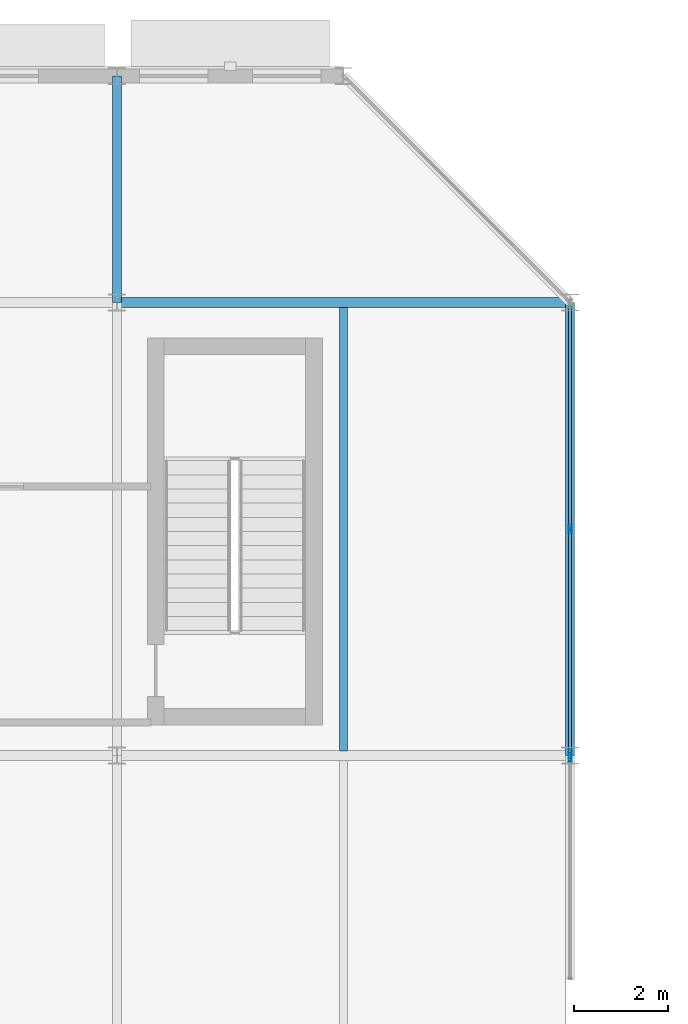
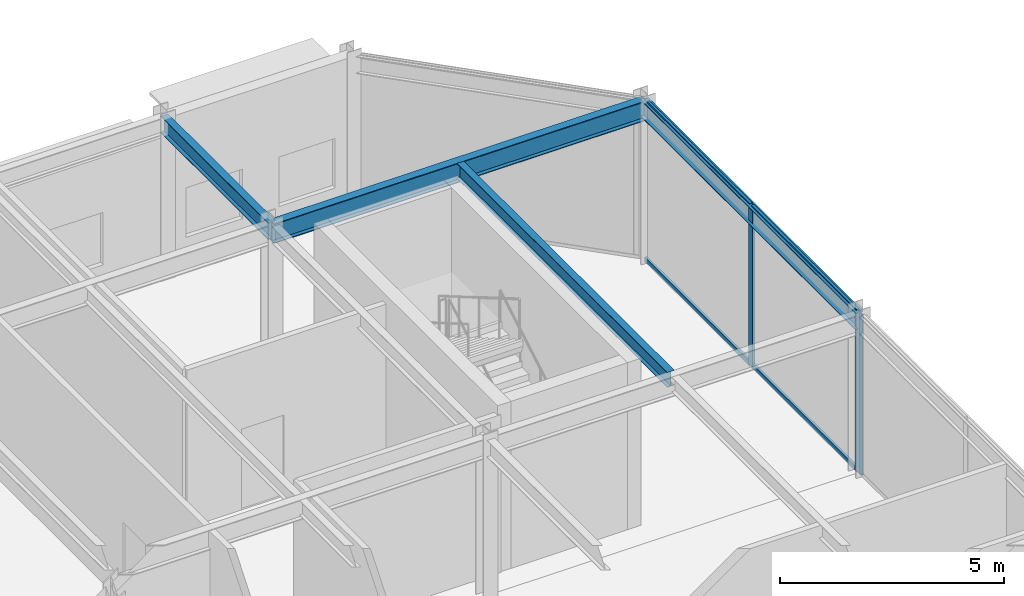
# One storey, part 45 of 116: 7 members, 4 beams, 2 elements without a shape of their own.
"""IFC4 building model written with IfcOpenShell, lengths in metres."""

import ifcopenshell
import ifcopenshell.guid

model = None  # the IFC model being written
_history = None  # IfcOwnerHistory: only IFC2X3 demands one
_inside = {}  # id of a spatial element -> (the spatial element, [elements in it])
_under = {}  # id of a project, library or spatial element -> (it, [spatial elements below it])
_declared = {}  # id of a project -> (the project, [libraries it declares])
_typed = {}  # id of a type object -> (the type object, [elements of that type])
_made_of = {}  # id of a material, layer set ... -> (it, [elements and type objects made of it])


def new_model(schema):
    """Start an empty IFC model of exactly this schema.

    Asked for "IFC4X3", IfcOpenShell would pick the latest addendum, in which some entities
    have other attributes; the version numbers below select the first issue.
    IFC2X3 requires an IfcOwnerHistory on every rooted entity: one is made here for all.
    """
    global model, _history
    if schema == "IFC4X3":
        model = ifcopenshell.file(schema_version=(4, 3, 0, 0))
    else:
        model = ifcopenshell.file(schema=schema)
    _inside.clear()
    _under.clear()
    _declared.clear()
    _typed.clear()
    _made_of.clear()
    _history = None
    if model.schema == "IFC2X3":
        org = make("IfcOrganization", Name="unknown")
        user = make(
            "IfcPersonAndOrganization",
            ThePerson=make("IfcPerson", FamilyName="unknown"),
            TheOrganization=org,
        )
        app = make(
            "IfcApplication",
            ApplicationDeveloper=org,
            Version="unknown",
            ApplicationFullName="unknown",
            ApplicationIdentifier="unknown",
        )
        _history = make(
            "IfcOwnerHistory",
            OwningUser=user,
            OwningApplication=app,
            ChangeAction="ADDED",
            CreationDate=0,
        )
    return model


def make(cls, **values):
    """One entity of the class cls with the attributes given. An attribute that is None is left unset."""
    return model.create_entity(
        cls, **{name: value for name, value in values.items() if value is not None}
    )


def rooted(cls, **values):
    """An entity with a GlobalId (a new one), such as an element, a storey or a relation."""
    return make(cls, GlobalId=ifcopenshell.guid.new(), OwnerHistory=_history, **values)


def si_unit(unit_type, name, prefix=None):
    """IfcSIUnit, for example si_unit("LENGTHUNIT", "METRE", prefix="MILLI")."""
    return make("IfcSIUnit", UnitType=unit_type, Prefix=prefix, Name=name)


def assignment(units):
    """IfcUnitAssignment: the units of a project."""
    return None if units is None else make("IfcUnitAssignment", Units=units)


def point(xyz):
    """IfcCartesianPoint."""
    return None if xyz is None else make("IfcCartesianPoint", Coordinates=xyz)


def direction(xyz):
    """IfcDirection."""
    return None if xyz is None else make("IfcDirection", DirectionRatios=xyz)


def frame(location, z_axis=None, x_axis=None):
    """IfcAxis2Placement3D, a coordinate frame: its origin and axes. An axis left out is left unset."""
    return make(
        "IfcAxis2Placement3D",
        Location=point(location),
        Axis=direction(z_axis),
        RefDirection=direction(x_axis),
    )


def frame_2d(location, x_axis=None):
    """IfcAxis2Placement2D, a coordinate frame in the plane: its origin and x axis."""
    return make(
        "IfcAxis2Placement2D", Location=point(location), RefDirection=direction(x_axis)
    )


def origin():
    """The frame at (0, 0, 0) with its axes left unset."""
    return frame((0.0, 0.0, 0.0))


def origin_2d():
    """The frame at (0, 0) in the plane with its x axis left unset."""
    return frame_2d((0.0, 0.0))


def place(relative_to, where):
    """IfcLocalPlacement: puts the frame where relative to a parent placement (None: the world)."""
    return make(
        "IfcLocalPlacement", PlacementRelTo=relative_to, RelativePlacement=where
    )


def context(
    kind, dimensions, precision=None, world=None, true_north=None, identifier=None
):
    """IfcGeometricRepresentationContext, for example the 3D "Model" context."""
    return make(
        "IfcGeometricRepresentationContext",
        ContextIdentifier=identifier,
        ContextType=kind,
        CoordinateSpaceDimension=dimensions,
        Precision=precision,
        WorldCoordinateSystem=world,
        TrueNorth=true_north,
    )


def subcontext(parent, identifier, kind, view, scale=None):
    """IfcGeometricRepresentationSubContext, for example "Body" below "Model"."""
    return make(
        "IfcGeometricRepresentationSubContext",
        ContextIdentifier=identifier,
        ContextType=kind,
        ParentContext=parent,
        TargetScale=scale,
        TargetView=view,
    )


def project(units=None, contexts=None):
    """IfcProject with its units and contexts."""
    return rooted(
        "IfcProject",
        Name="project",
        RepresentationContexts=contexts,
        UnitsInContext=assignment(units),
    )


def spatial(cls, under=None, at=None, **own):
    """A site, building, storey or space (cls), placed at a placement, below another one or the project."""
    s = rooted(cls, ObjectPlacement=at, **own)
    if under is not None:
        _under.setdefault(under.id(), (under, []))[1].append(s)
    return s


def profile(cls, at=None, kind="AREA", **sizes):
    """A parametric profile (cls). Its sizes go by their IFC names, for example OverallWidth=200.0."""
    return make(cls, ProfileType=kind, Position=at, **sizes)


def hollow_rectangle(**sizes):
    """IfcRectangleHollowProfileDef."""
    return profile("IfcRectangleHollowProfileDef", **sizes)


def i_section(**sizes):
    """IfcIShapeProfileDef."""
    return profile("IfcIShapeProfileDef", **sizes)


def extrude(swept, where, along, depth):
    """IfcExtrudedAreaSolid: the profile swept, set in the frame where, extruded along a direction by depth."""
    return make(
        "IfcExtrudedAreaSolid",
        SweptArea=swept,
        Position=where,
        ExtrudedDirection=direction(along),
        Depth=depth,
    )


def shape(context_of_items, identifier, shape_type, items):
    """IfcShapeRepresentation: the items that make up one representation, for example the "Body"."""
    return make(
        "IfcShapeRepresentation",
        ContextOfItems=context_of_items,
        RepresentationIdentifier=identifier,
        RepresentationType=shape_type,
        Items=items,
    )


def material(Name=None, Category=None):
    """IfcMaterial."""
    return make("IfcMaterial", Name=Name, Category=Category)


def material_profile(
    of_material, cross_section, Name=None, Category=None, Priority=None
):
    """IfcMaterialProfile: a cross section and its material."""
    return make(
        "IfcMaterialProfile",
        Name=Name,
        Material=of_material,
        Profile=cross_section,
        Priority=Priority,
        Category=Category,
    )


def profile_set(profiles, Name=None, composite=None):
    """IfcMaterialProfileSet."""
    return make(
        "IfcMaterialProfileSet",
        Name=Name,
        MaterialProfiles=profiles,
        CompositeProfile=composite,
    )


def made_of(thing, what):
    """Note that an element or type object is made of a material, layer set ...; save() writes the relation."""
    if what is not None:
        _made_of.setdefault(what.id(), (what, []))[1].append(thing)
    return thing


def type_object(cls, material=None, **own):
    """A type object (cls), such as IfcWallType, which elements share."""
    return made_of(rooted(cls, **own), material)


def element(
    cls,
    number,
    at=None,
    inside=None,
    cuts=None,
    type_object=None,
    material=None,
    context=None,
    identifier="Body",
    shape_type=None,
    held_by="IfcProductDefinitionShape",
    body=None,
    shapes=None,
    **own,
):
    """One element of the class cls, such as IfcWall. Its Tag is "e" and its number.

    at: its placement. inside: the storey or other place that contains it. cuts: it is an
    opening in that element (IfcRelVoidsElement). A single representation is given by context,
    identifier, shape_type and body (its items); several are given by shapes. held_by: the class
    of the entity that holds the representations. save() writes the other relations.
    """
    e = rooted(cls, Tag="e%d" % number, ObjectPlacement=at, **own)
    if body is not None:
        shapes = [shape(context, identifier, shape_type, body)]
    if shapes is not None:
        e.Representation = make(held_by, Representations=shapes)
    if inside is not None:
        _inside.setdefault(inside.id(), (inside, []))[1].append(e)
    if cuts is not None:
        rooted(
            "IfcRelVoidsElement", RelatingBuildingElement=cuts, RelatedOpeningElement=e
        )
    if type_object is not None:
        _typed.setdefault(type_object.id(), (type_object, []))[1].append(e)
    return made_of(e, material)


def aggregate(whole, parts):
    """IfcRelAggregates: a whole, such as a stair, and the parts it consists of."""
    return rooted("IfcRelAggregates", RelatingObject=whole, RelatedObjects=parts)


def save(model, path):
    """Write the relations noted so far, then the file.

    IfcRelAggregates (storeys below a building ...), IfcRelContainedInSpatialStructure (elements
    in a storey), IfcRelDefinesByType, IfcRelAssociatesMaterial and IfcRelDeclares: one each for
    every whole, place, type object, material and project.
    """
    for whole, parts in _under.values():
        aggregate(whole, parts)
    for where, things in _inside.values():
        rooted(
            "IfcRelContainedInSpatialStructure",
            RelatedElements=things,
            RelatingStructure=where,
        )
    for kind, things in _typed.values():
        rooted("IfcRelDefinesByType", RelatedObjects=things, RelatingType=kind)
    for what, things in _made_of.values():
        rooted("IfcRelAssociatesMaterial", RelatedObjects=things, RelatingMaterial=what)
    for by, libraries in _declared.values():
        rooted("IfcRelDeclares", RelatingContext=by, RelatedDefinitions=libraries)
    model.write(path)


model = new_model("IFC4")

# Units and contexts
model_context = context("Model", 3, precision=1e-05, world=origin(), true_north=direction((0.0, 1.0)))
body_context = subcontext(model_context, "Body", "Model", "MODEL_VIEW")
ifc_project = project(units=[si_unit("LENGTHUNIT", "METRE"), si_unit("AREAUNIT", "SQUARE_METRE"), si_unit("VOLUMEUNIT", "CUBIC_METRE"), si_unit("PLANEANGLEUNIT", "RADIAN"), si_unit("MASSUNIT", "GRAM", prefix="KILO")], contexts=[model_context])

# Site, building, storey
site_placement = place(None, origin())
site = spatial("IfcSite", under=ifc_project, at=site_placement, CompositionType="ELEMENT")
building_placement = place(site_placement, origin())
building = spatial("IfcBuilding", under=site, at=building_placement, Name="Almandine Court Research Institute", CompositionType="ELEMENT")
storey_placement = place(building_placement, frame((0.0, 0.0, 14.35009765625)))
storey = spatial("IfcBuildingStorey", under=building, at=storey_placement, Name="L03", CompositionType="ELEMENT", Elevation=14.35009765625)

# Beams
ifc_material_1 = material(Name="Steel ASTM A992 Grade 50", Category="steel")
ifc_material_profile_1 = material_profile(ifc_material_1, i_section(OverallWidth=0.18994140625, OverallDepth=0.45703125, WebThickness=0.009033203125, FlangeThickness=0.014892578125, at=origin_2d()), Name="W460x74")
ifc_profile_set_1 = profile_set([ifc_material_profile_1], Name="Steel ASTM A992 Grade 50")
beam_type_1 = type_object("IfcBeamType", Name="Beam-B-01", PredefinedType="BEAM", material=ifc_profile_set_1)
beam_1_placement = place(storey_placement, frame((25.199951171875, 112.800048828125, 4.140869140625), z_axis=(0.0, 1.0, 0.0), x_axis=(-1.0, 0.0, 0.0)))
element("IfcBeam", 1, at=beam_1_placement, inside=storey, type_object=beam_type_1, Name="L03 V3 Primary Y Girder", PredefinedType="BEAM", context=body_context, shape_type="SweptSolid", body=[
    extrude(i_section(OverallWidth=0.18994140625, OverallDepth=0.45703125, WebThickness=0.009033203125, FlangeThickness=0.014892578125, at=origin_2d()), origin(), (0.0, 0.0, 1.0), 4.800048828125),
])
ifc_material_profile_2 = material_profile(ifc_material_1, i_section(OverallWidth=0.178955078125, OverallDepth=0.409912109375, WebThickness=0.009033203125, FlangeThickness=0.013916015625, at=origin_2d()), Name="W410x67")
ifc_profile_set_2 = profile_set([ifc_material_profile_2], Name="Steel ASTM A992 Grade 50")
beam_type_2 = type_object("IfcBeamType", Name="Beam-B-02", PredefinedType="JOIST", material=ifc_profile_set_2)
beam_2_placement = place(storey_placement, frame((30.0, 103.302978515625, 4.164794921875), z_axis=(0.0, 1.0, 0.0), x_axis=(-1.0, 0.0, 0.0)))
element("IfcBeam", 2, at=beam_2_placement, inside=storey, type_object=beam_type_2, Name="L03 V3 Composite Secondary Beam", PredefinedType="JOIST", context=body_context, shape_type="SweptSolid", body=[
    extrude(i_section(OverallWidth=0.178955078125, OverallDepth=0.409912109375, WebThickness=0.009033203125, FlangeThickness=0.013916015625, at=origin_2d()), origin(), (0.0, 0.0, 1.0), 9.39404296875),
])
ifc_material_profile_3 = material_profile(ifc_material_1, i_section(OverallWidth=0.2109375, OverallDepth=0.5390625, WebThickness=0.011962890625, FlangeThickness=0.01904296875, at=origin_2d()), Name="W530x109")
ifc_profile_set_3 = profile_set([ifc_material_profile_3], Name="Steel ASTM A992 Grade 50")
beam_type_3 = type_object("IfcBeamType", Name="Beam-G-04", PredefinedType="BEAM", material=ifc_profile_set_3)
beam_3_placement = place(storey_placement, frame((25.199951171875, 112.800048828125, 4.099853515625), z_axis=(1.0, 0.0, 0.0), x_axis=(0.0, 1.0, 0.0)))
element("IfcBeam", 3, at=beam_3_placement, inside=storey, type_object=beam_type_3, Name="L03 V3 Primary X Girder", PredefinedType="BEAM", context=body_context, shape_type="SweptSolid", body=[
    extrude(i_section(OverallWidth=0.2109375, OverallDepth=0.5390625, WebThickness=0.011962890625, FlangeThickness=0.01904296875, at=origin_2d()), origin(), (0.0, 0.0, 1.0), 9.60009765625),
])
ifc_material_profile_4 = material_profile(ifc_material_1, i_section(OverallWidth=0.193115234375, OverallDepth=0.466064453125, WebThickness=0.010986328125, FlangeThickness=0.01904296875, at=origin_2d()), Name="W460x97")
ifc_profile_set_4 = profile_set([ifc_material_profile_4], Name="Steel ASTM A992 Grade 50")
beam_type_4 = type_object("IfcBeamType", Name="Beam-G-06-E", PredefinedType="SPANDREL", material=ifc_profile_set_4)
beam_4_placement = place(storey_placement, frame((34.800048828125, 103.199951171875, 4.136962890625), z_axis=(0.0, 1.0, 0.0), x_axis=(-1.0, 0.0, 0.0)))
element("IfcBeam", 4, at=beam_4_placement, inside=storey, type_object=beam_type_4, Name="L03 V3 Primary Y Girder", PredefinedType="SPANDREL", context=body_context, shape_type="SweptSolid", body=[
    extrude(i_section(OverallWidth=0.193115234375, OverallDepth=0.466064453125, WebThickness=0.010986328125, FlangeThickness=0.01904296875, at=origin_2d()), origin(), (0.0, 0.0, 1.0), 9.60009765625),
])

# Curtain wall, member
ifc_material_2 = material(Name="Unitised Curtain Wall Framing and Solar Glazing", Category="glass")
curtain_wall_type = type_object("IfcCurtainWallType", Name="CW-CWJ-02", PredefinedType="USERDEFINED", material=ifc_material_2)
curtain_wall_1_placement = place(storey_placement, origin())
curtain_wall_1 = element("IfcCurtainWall", 5, at=curtain_wall_1_placement, inside=storey, type_object=curtain_wall_type, Name="L03 Cleanroom East Courtyard Jali Screen 2", ObjectType="SOLAR JALI SCREEN", PredefinedType="USERDEFINED")
ifc_material_3 = material(Name="Anodised Aluminium AW-6063-T6", Category="aluminium")
ifc_material_profile_5 = material_profile(ifc_material_3, hollow_rectangle(XDim=0.06494140625, YDim=0.179931640625, WallThickness=0.00390625, at=origin_2d()), Name="ALU RHS 65x180x4")
ifc_profile_set_5 = profile_set([ifc_material_profile_5], Name="Anodised Aluminium AW-6063-T6")
member_type_1 = type_object("IfcMemberType", Name="CWMul-65x180", PredefinedType="MULLION", material=ifc_profile_set_5)
member_1_placement = place(storey_placement, frame((34.800048828125, 103.16357421875, 0.0), z_axis=(0.0, 0.0, 1.0), x_axis=(1.0, 0.0, 0.0)))
member_1 = element("IfcMember", 6, at=member_1_placement, type_object=member_type_1, Name="CWJ-02 mullion 1", PredefinedType="MULLION", context=body_context, shape_type="SweptSolid", body=[
    extrude(hollow_rectangle(XDim=0.06494140625, YDim=0.179931640625, WallThickness=0.00390625, at=origin_2d()), origin(), (0.0, 0.0, 1.0), 4.369873046875),
])
aggregate(curtain_wall_1, [member_1])

# Curtain wall, members
curtain_wall_2_placement = place(storey_placement, origin())
curtain_wall_2 = element("IfcCurtainWall", 7, at=curtain_wall_2_placement, inside=storey, type_object=curtain_wall_type, Name="L03 Cleanroom East Courtyard Jali Screen 3", ObjectType="SOLAR JALI SCREEN", PredefinedType="USERDEFINED")
member_2_placement = place(storey_placement, frame((34.800048828125, 108.0, 0.0), z_axis=(0.0, 0.0, 1.0), x_axis=(1.0, 0.0, 0.0)))
member_2 = element("IfcMember", 8, at=member_2_placement, type_object=member_type_1, Name="CWJ-02 mullion 2", PredefinedType="MULLION", context=body_context, shape_type="SweptSolid", body=[
    extrude(hollow_rectangle(XDim=0.06494140625, YDim=0.179931640625, WallThickness=0.00390625, at=origin_2d()), origin(), (0.0, 0.0, 1.0), 4.369873046875),
])
member_3_placement = place(storey_placement, frame((34.800048828125, 103.236572265625, 0.0), z_axis=(0.0, 0.0, 1.0), x_axis=(1.0, 0.0, 0.0)))
member_3 = element("IfcMember", 9, at=member_3_placement, type_object=member_type_1, Name="CWJ-02 mullion 3", PredefinedType="MULLION", context=body_context, shape_type="SweptSolid", body=[
    extrude(hollow_rectangle(XDim=0.06494140625, YDim=0.179931640625, WallThickness=0.00390625, at=origin_2d()), origin(), (0.0, 0.0, 1.0), 4.369873046875),
])
ifc_material_profile_6 = material_profile(ifc_material_3, hollow_rectangle(XDim=0.06494140625, YDim=0.1298828125, WallThickness=0.00390625, at=origin_2d()), Name="ALU RHS 65x130x4")
ifc_profile_set_6 = profile_set([ifc_material_profile_6], Name="Anodised Aluminium AW-6063-T6")
member_type_2 = type_object("IfcMemberType", Name="CWTrn-65x130", PredefinedType="NOTDEFINED", material=ifc_profile_set_6)
member_4_placement = place(storey_placement, frame((34.800048828125, 112.73095703125, 0.032470703125), z_axis=(0.0, -1.0, 0.0), x_axis=(1.0, 0.0, 0.0)))
member_4 = element("IfcMember", 10, at=member_4_placement, type_object=member_type_2, Name="CWJ-02 transom 1.1", ObjectType="TRANSOM", PredefinedType="USERDEFINED", context=body_context, shape_type="SweptSolid", body=[
    extrude(hollow_rectangle(XDim=0.06494140625, YDim=0.1298828125, WallThickness=0.00390625, at=origin_2d()), origin(), (0.0, 0.0, 1.0), 4.698486328125),
])
member_5_placement = place(storey_placement, frame((34.800048828125, 112.73095703125, 4.33740234375), z_axis=(0.0, -1.0, 0.0), x_axis=(1.0, 0.0, 0.0)))
member_5 = element("IfcMember", 11, at=member_5_placement, type_object=member_type_2, Name="CWJ-02 transom 1.2", ObjectType="TRANSOM", PredefinedType="USERDEFINED", context=body_context, shape_type="SweptSolid", body=[
    extrude(hollow_rectangle(XDim=0.06494140625, YDim=0.1298828125, WallThickness=0.00390625, at=origin_2d()), origin(), (0.0, 0.0, 1.0), 4.698486328125),
])
member_6_placement = place(storey_placement, frame((34.800048828125, 107.967529296875, 0.032470703125), z_axis=(0.0, -1.0, 0.0), x_axis=(1.0, 0.0, 0.0)))
member_6 = element("IfcMember", 12, at=member_6_placement, type_object=member_type_2, Name="CWJ-02 transom 2.1", ObjectType="TRANSOM", PredefinedType="USERDEFINED", context=body_context, shape_type="SweptSolid", body=[
    extrude(hollow_rectangle(XDim=0.06494140625, YDim=0.1298828125, WallThickness=0.00390625, at=origin_2d()), origin(), (0.0, 0.0, 1.0), 4.698486328125),
])
member_7_placement = place(storey_placement, frame((34.800048828125, 107.967529296875, 4.33740234375), z_axis=(0.0, -1.0, 0.0), x_axis=(1.0, 0.0, 0.0)))
member_7 = element("IfcMember", 13, at=member_7_placement, type_object=member_type_2, Name="CWJ-02 transom 2.2", ObjectType="TRANSOM", PredefinedType="USERDEFINED", context=body_context, shape_type="SweptSolid", body=[
    extrude(hollow_rectangle(XDim=0.06494140625, YDim=0.1298828125, WallThickness=0.00390625, at=origin_2d()), origin(), (0.0, 0.0, 1.0), 4.698486328125),
])
aggregate(curtain_wall_2, [member_2, member_3, member_4, member_5, member_6, member_7])

save(model, "model.ifc")
